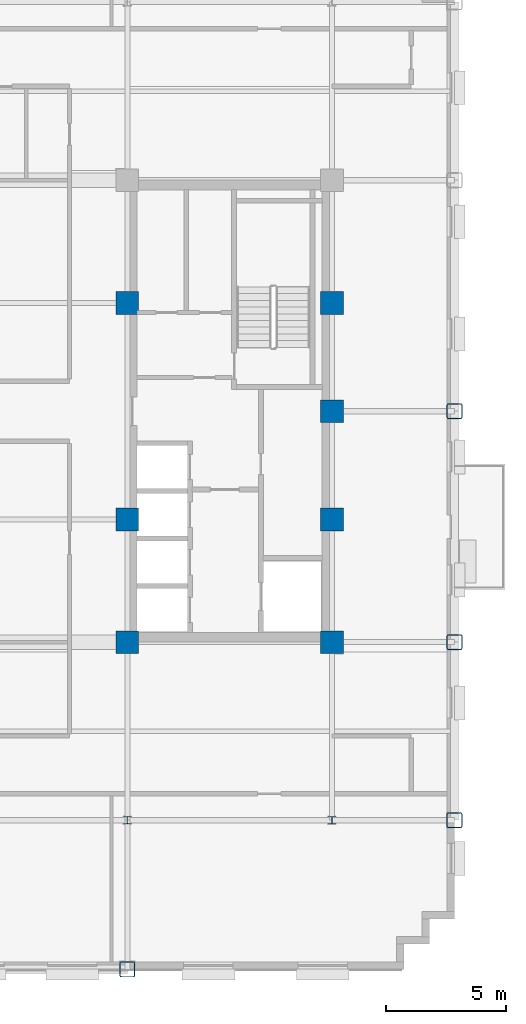
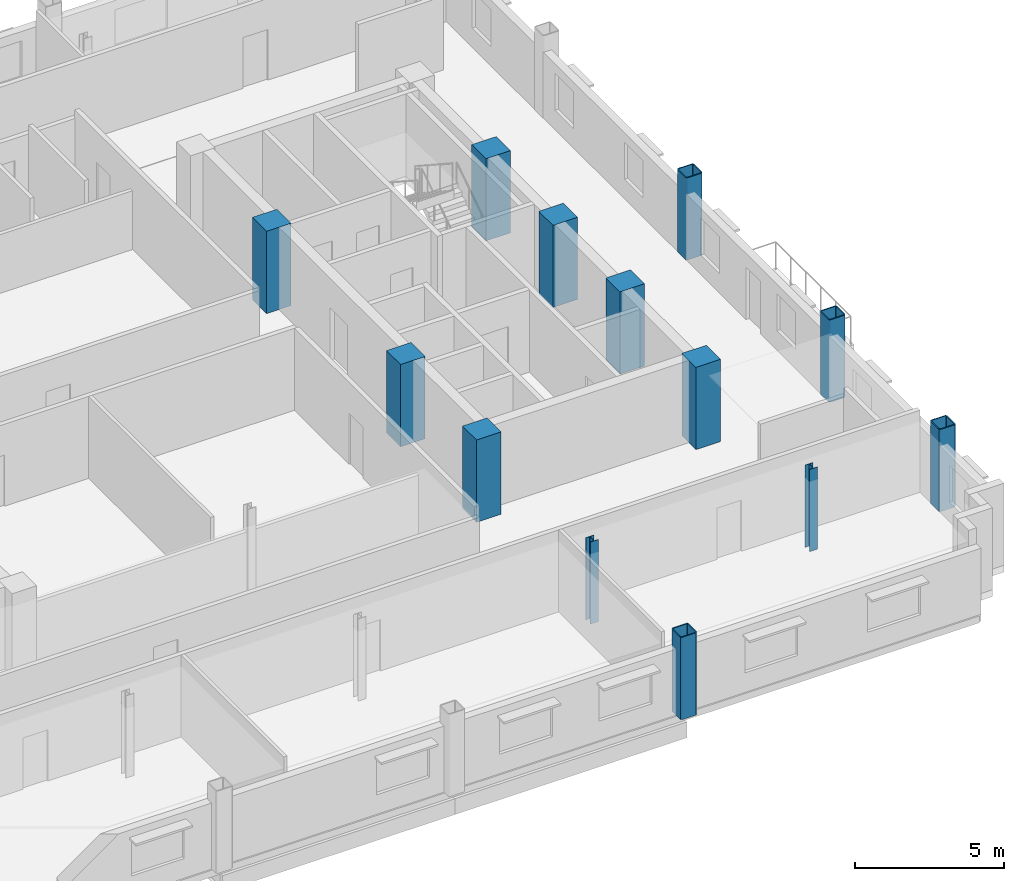
# One storey, part 2 of 14: 13 columns.
"""IFC4 building model written with IfcOpenShell, lengths in metres."""

from ifc_helpers import new_model, si_unit, direction, frame, origin, origin_2d, place, context, subcontext, project, spatial, rectangle, hollow_rectangle, i_section, extrude, material, material_profile, profile_set, type_object, element, save


model = new_model("IFC4")

# Units and contexts
model_context = context("Model", 3, precision=1e-05, world=origin(), true_north=direction((0.0, 1.0)))
body_context = subcontext(model_context, "Body", "Model", "MODEL_VIEW")
ifc_project = project(units=[si_unit("LENGTHUNIT", "METRE"), si_unit("AREAUNIT", "SQUARE_METRE"), si_unit("VOLUMEUNIT", "CUBIC_METRE"), si_unit("PLANEANGLEUNIT", "RADIAN"), si_unit("MASSUNIT", "GRAM", prefix="KILO")], contexts=[model_context])

# Site, building, storey
site_placement = place(None, origin())
site = spatial("IfcSite", under=ifc_project, at=site_placement, CompositionType="ELEMENT")
building_placement = place(site_placement, origin())
building = spatial("IfcBuilding", under=site, at=building_placement, Name="Nuvemarco Arch Tower", CompositionType="ELEMENT")
storey_placement = place(building_placement, frame((0.0, 0.0, 174.949951171875)))
storey = spatial("IfcBuildingStorey", under=building, at=storey_placement, Name="L46", CompositionType="ELEMENT", Elevation=174.949951171875)

# Columns
ifc_material_1 = material(Name="Concrete C50/60", Category="concrete")
ifc_material_profile_1 = material_profile(ifc_material_1, rectangle(XDim=0.949951171875, YDim=0.949951171875, at=origin_2d()), Name="RC-COL-950x950")
ifc_profile_set_1 = profile_set([ifc_material_profile_1], Name="Concrete C50/60")
column_type_1 = type_object("IfcColumnType", Name="COL-CORE-950", PredefinedType="COLUMN", material=ifc_profile_set_1)
for number, where, z_axis, x_axis, name in (
    (1, (9.0, -9.60009765625, 0.0), (0.0, 0.0, 1.0), (1.0, 0.0, 0.0), "L46 column CC_+9.0_-9.6"),
    (2, (9.0, -4.5, 0.0), (0.0, 0.0, 1.0), (1.0, 0.0, 0.0), "L46 column CC_+9.0_-4.5"),
    (3, (9.0, 4.5, 0.0), (0.0, 0.0, 1.0), (1.0, 0.0, 0.0), "L46 column CC_+9.0_+4.5"),
    (4, (17.5, -9.60009765625, 0.0), (0.0, 0.0, 1.0), (1.0, 0.0, 0.0), "L46 column CC_+17.5_-9.6"),
    (5, (17.5, -4.5, 0.0), (0.0, 0.0, 1.0), (1.0, 0.0, 0.0), "L46 column CC_+17.5_-4.5"),
    (6, (17.5, 4.5, 0.0), (0.0, 0.0, 1.0), (1.0, 0.0, 0.0), "L46 column CC_+17.5_+4.5"),
    (7, (17.5, 0.0, 0.0), (0.0, 0.0, 1.0), (1.0, 0.0, 0.0), "L46 column CC_+17.5_+0.0"),
):
    element("IfcColumn", number, at=place(storey_placement, frame(where, z_axis=z_axis, x_axis=x_axis)), inside=storey, type_object=column_type_1, Name=name, PredefinedType="COLUMN", context=body_context, shape_type="SweptSolid", body=[
        extrude(rectangle(XDim=0.949951171875, YDim=0.949951171875, at=origin_2d()), origin(), (0.0, 0.0, 1.0), 3.3701171875),
    ])
ifc_material_2 = material(Name="Steel S355", Category="steel")
ifc_material_profile_2 = material_profile(ifc_material_2, hollow_rectangle(XDim=0.64990234375, YDim=0.64990234375, WallThickness=0.0400390625, InnerFilletRadius=0.0400390625, OuterFilletRadius=0.080078125, at=origin_2d()), Name="SHS650x650x40")
ifc_profile_set_2 = profile_set([ifc_material_profile_2], Name="Steel S355")
column_type_2 = type_object("IfcColumnType", Name="COL-EXO-650", PredefinedType="COLUMN", material=ifc_profile_set_2)
for number, where, z_axis, x_axis, name in (
    (8, (22.60009765625, -17.0, 0.0), (0.0, 0.0, 1.0), (1.0, 0.0, 0.0), "L46 column CX_+22.6_-17.0"),
    (9, (22.60009765625, -9.60009765625, 0.0), (0.0, 0.0, 1.0), (1.0, 0.0, 0.0), "L46 column CX_+22.6_-9.6"),
    (10, (22.60009765625, 0.0, 0.0), (0.0, 0.0, 1.0), (1.0, 0.0, 0.0), "L46 column CX_+22.6_+0.0"),
    (11, (9.0, -23.199951171875, 0.0), (0.0, 0.0, 1.0), (1.0, 0.0, 0.0), "L46 column CY_+9.0_-23.2"),
):
    element("IfcColumn", number, at=place(storey_placement, frame(where, z_axis=z_axis, x_axis=x_axis)), inside=storey, type_object=column_type_2, Name=name, PredefinedType="COLUMN", context=body_context, shape_type="SweptSolid", body=[
        extrude(hollow_rectangle(XDim=0.64990234375, YDim=0.64990234375, WallThickness=0.0400390625, InnerFilletRadius=0.0400390625, OuterFilletRadius=0.080078125, at=origin_2d()), origin(), (0.0, 0.0, 1.0), 3.3701171875),
    ])
ifc_material_profile_3 = material_profile(ifc_material_2, i_section(OverallWidth=0.31005859375, OverallDepth=0.31005859375, WebThickness=0.015380859375, FlangeThickness=0.015380859375, FilletRadius=0.014892578125, at=origin_2d()), Name="HP310x110")
ifc_profile_set_3 = profile_set([ifc_material_profile_3], Name="Steel S355")
column_type_3 = type_object("IfcColumnType", Name="COL-STL-HP310", PredefinedType="COLUMN", material=ifc_profile_set_3)
for number, where, z_axis, x_axis, name in (
    (12, (9.0, -17.0, 0.0), (0.0, 0.0, 1.0), (1.0, 0.0, 0.0), "L46 column CI_+9.0_-17.0"),
    (13, (17.5, -17.0, 0.0), (0.0, 0.0, 1.0), (1.0, 0.0, 0.0), "L46 column CI_+17.5_-17.0"),
):
    element("IfcColumn", number, at=place(storey_placement, frame(where, z_axis=z_axis, x_axis=x_axis)), inside=storey, type_object=column_type_3, Name=name, PredefinedType="COLUMN", context=body_context, shape_type="SweptSolid", body=[
        extrude(i_section(OverallWidth=0.31005859375, OverallDepth=0.31005859375, WebThickness=0.015380859375, FlangeThickness=0.015380859375, FilletRadius=0.014892578125, at=origin_2d()), origin(), (0.0, 0.0, 1.0), 3.3701171875),
    ])

save(model, "model.ifc")
